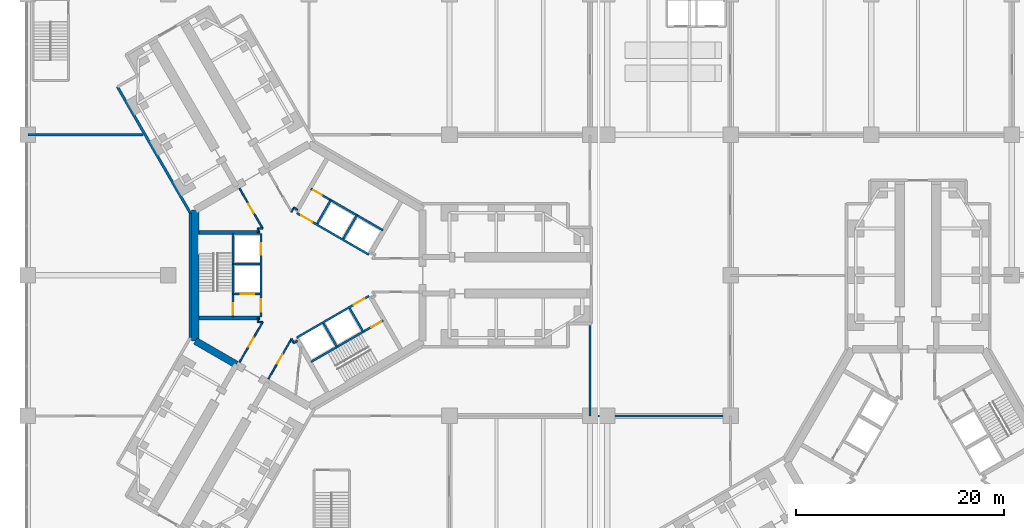
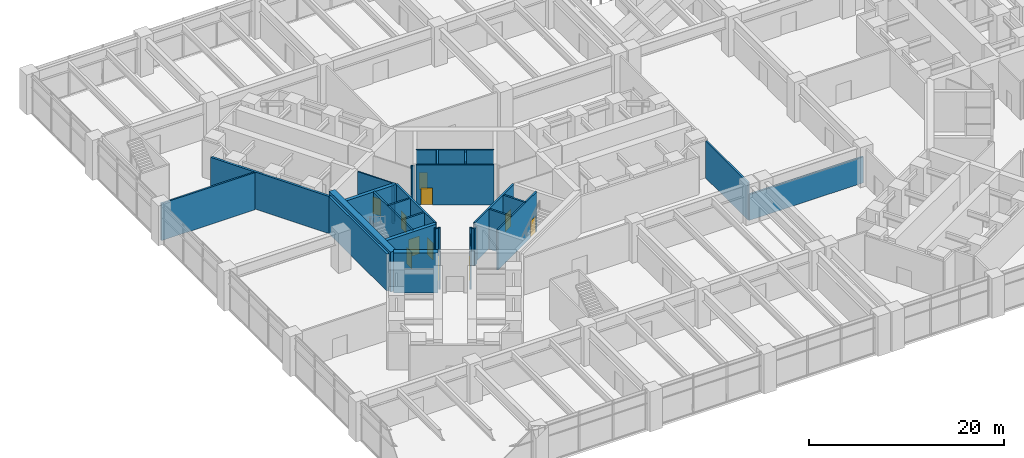
# One storey, part 22 of 32: 32 walls, 11 doors, 11 openings.
"""IFC4 building model written with IfcOpenShell, lengths in metres."""

from ifc_helpers import new_model, si_unit, direction, frame, frame_2d, origin, place, context, subcontext, project, spatial, rectangle, extrude, material, layer, layer_set, type_object, element, fill, save


model = new_model("IFC4")

# Units and contexts
model_context = context("Model", 3, precision=1e-05, world=origin(), true_north=direction((0.0, 1.0)))
body_context = subcontext(model_context, "Body", "Model", "MODEL_VIEW")
ifc_project = project(units=[si_unit("LENGTHUNIT", "METRE"), si_unit("AREAUNIT", "SQUARE_METRE"), si_unit("VOLUMEUNIT", "CUBIC_METRE"), si_unit("PLANEANGLEUNIT", "RADIAN"), si_unit("MASSUNIT", "GRAM", prefix="KILO")], contexts=[model_context])

# Site, building, storey
site_placement = place(None, origin())
site = spatial("IfcSite", under=ifc_project, at=site_placement, CompositionType="ELEMENT")
building_placement = place(site_placement, origin())
building = spatial("IfcBuilding", under=site, at=building_placement, Name="Upepo Twin Towers", CompositionType="ELEMENT")
storey_placement = place(building_placement, frame((0.0, 0.0, 10.5)))
storey = spatial("IfcBuildingStorey", under=building, at=storey_placement, Name="L02", CompositionType="ELEMENT", Elevation=10.5)

# Walls
ifc_material_1 = material(Name="Concrete C60/75", Category="concrete")
ifc_layer_1 = layer(ifc_material_1, 0.699951171875)
ifc_layer_set_1 = layer_set([ifc_layer_1], Name="Concrete C60/75")
wall_type_1 = type_object("IfcWallType", Name="Core wall 700 RC", PredefinedType="SHEAR", material=ifc_layer_set_1)
wall_1_placement = place(storey_placement, frame((-10.908447265625, 6.2978515625, 0.0), z_axis=(0.0, 0.0, 1.0), x_axis=(0.0, -1.0, 0.0)))
element("IfcWall", 1, at=wall_1_placement, inside=storey, type_object=wall_type_1, Name="T1 core wall 180", PredefinedType="SHEAR", context=body_context, shape_type="SweptSolid", body=[
    extrude(rectangle(XDim=12.595703125, YDim=0.699951171875, at=frame_2d((6.2978515625, 0.0))), origin(), (0.0, 0.0, 1.0), 5.0),
])
wall_2_placement = place(storey_placement, frame((-10.908447265625, -6.2978515625, 0.0), z_axis=(0.0, 0.0, 1.0), x_axis=(0.866034513004, -0.499984222037, 0.0)))
element("IfcWall", 2, at=wall_2_placement, inside=storey, type_object=wall_type_1, Name="T1 core wall 240 R", PredefinedType="SHEAR", context=body_context, shape_type="SweptSolid", body=[
    extrude(rectangle(XDim=4.548095703125, YDim=0.699951171875, at=frame_2d((2.27392578125, 0.0))), origin(), (0.0, 0.0, 1.0), 5.0),
])
ifc_material_2 = material(Name="Concrete blockwork", Category="masonry")
ifc_layer_2 = layer(ifc_material_2, 0.199951171875)
ifc_layer_set_2 = layer_set([ifc_layer_2], Name="Podium partition 200 blockwork")
wall_type_2 = type_object("IfcWallType", Name="Podium partition 200 blockwork", PredefinedType="PARTITIONING", material=ifc_layer_set_2)
wall_3_placement = place(storey_placement, frame((-27.0, 13.5, 0.0), z_axis=(0.0, 0.0, 1.0), x_axis=(1.0, 0.0, 0.0)))
element("IfcWall", 3, at=wall_3_placement, inside=storey, type_object=wall_type_2, Name="L02 podium wall Y04", PredefinedType="PARTITIONING", context=body_context, shape_type="SweptSolid", body=[
    extrude(rectangle(XDim=11.065185546875, YDim=0.199951171875, at=frame_2d((5.53271484375, 0.0))), origin(), (0.0, 0.0, 1.0), 4.64990234375),
])
wall_4_placement = place(storey_placement, frame((27.0, -13.5, 0.0), z_axis=(0.0, 0.0, 1.0), x_axis=(0.0, 1.0, 0.0)))
element("IfcWall", 4, at=wall_4_placement, inside=storey, type_object=wall_type_2, Name="L02 podium wall X42", PredefinedType="PARTITIONING", context=body_context, shape_type="SweptSolid", body=[
    extrude(rectangle(XDim=8.699951171875, YDim=0.199951171875, at=frame_2d((4.35009765625, 0.0))), origin(), (0.0, 0.0, 1.0), 4.64990234375),
])
wall_5_placement = place(storey_placement, frame((27.0, -13.5, 0.0), z_axis=(0.0, 0.0, 1.0), x_axis=(1.0, 0.0, 0.0)))
element("IfcWall", 5, at=wall_5_placement, inside=storey, type_object=wall_type_2, Name="L02 podium wall Y42", PredefinedType="PARTITIONING", context=body_context, shape_type="SweptSolid", body=[
    extrude(rectangle(XDim=13.5, YDim=0.199951171875, at=frame_2d((6.75, 0.0))), origin(), (0.0, 0.0, 1.0), 3.25),
])

# Wall, opening, door
ifc_material_3 = material(Name="Concrete C40/50", Category="concrete")
ifc_layer_3 = layer(ifc_material_3, 0.199951171875)
ifc_layer_set_3 = layer_set([ifc_layer_3], Name="Concrete C40/50")
wall_type_3 = type_object("IfcWallType", Name="Shaft wall 200 RC", PredefinedType="SHEAR", material=ifc_layer_set_3)
wall_6_placement = place(storey_placement, frame((5.76416015625, 1.983642578125, 0.0), z_axis=(0.0, 0.0, 1.0), x_axis=(-0.866026010844, 0.49999894854, 0.0)))
wall_6 = element("IfcWall", 6, at=wall_6_placement, inside=storey, type_object=wall_type_3, Name="T1 core W60 front wall", PredefinedType="SHEAR", context=body_context, shape_type="SweptSolid", body=[
    extrude(rectangle(XDim=8.0, YDim=0.199951171875, at=frame_2d((4.0, 0.0))), origin(), (0.0, 0.0, 1.0), 5.0),
])
opening_1_placement = place(wall_6_placement, frame((6.300048828125, 0.0, 0.0)))
opening_1 = element("IfcOpeningElement", 7, at=opening_1_placement, cuts=wall_6, Name="Opening D4", PredefinedType="OPENING", context=body_context, shape_type="SweptSolid", body=[
    extrude(rectangle(XDim=1.199951171875, YDim=2.10009765625, at=frame_2d((0.60009765625, 1.050048828125))), frame((0.0, 0.10986328125, 0.0), z_axis=(0.0, -1.0, 0.0), x_axis=(1.0, 0.0, 0.0)), (0.0, 0.0, 1.0), 0.219970703125),
])
ifc_material_4 = material(Name="Timber doorset", Category="wood")
door_type_1 = type_object("IfcDoorType", Name="Lobby door 1200 FD60", OperationType="SINGLE_SWING_LEFT", PredefinedType="DOOR", material=ifc_material_4)
door_1_placement = place(opening_1_placement, origin())
door_1 = element("IfcDoor", 8, at=door_1_placement, inside=storey, type_object=door_type_1, Name="T1 L02 W60 lobby door", OperationType="SINGLE_SWING_RIGHT", OverallHeight=2.10009765625, OverallWidth=1.199951171875, PredefinedType="DOOR", context=body_context, shape_type="SweptSolid", body=[
    extrude(rectangle(XDim=1.199951171875, YDim=2.10009765625, at=frame_2d((0.60009765625, 1.050048828125))), frame((0.0, 0.02490234375, 0.0), z_axis=(0.0, -1.0, 0.0), x_axis=(1.0, 0.0, 0.0)), (0.0, 0.0, 1.0), 0.050048828125),
])
fill(opening_1, door_1)

# Walls
for number, where, z_axis, x_axis, name in (
    (9, (3.302734375, 3.520263671875, 0.0), (0.0, 0.0, 1.0), (0.499936506574, 0.866062058628, 0.0), "T1 core W60 shaft divider"),
    (10, (0.791259765625, 4.97021484375, 0.0), (0.0, 0.0, 1.0), (0.499936506574, 0.866062058628, 0.0), "T1 core W60 lobby wall"),
):
    element("IfcWall", number, at=place(storey_placement, frame(where, z_axis=z_axis, x_axis=x_axis)), inside=storey, type_object=wall_type_3, Name=name, PredefinedType="SHEAR", context=body_context, shape_type="SweptSolid", body=[
        extrude(rectangle(XDim=2.599853515625, YDim=0.199951171875, at=frame_2d((1.2998046875, 0.0))), origin(), (0.0, 0.0, 1.0), 5.0),
    ])

# Wall, opening, door
wall_7_placement = place(storey_placement, frame((7.114013671875, 4.322021484375, 0.0), z_axis=(0.0, 0.0, 1.0), x_axis=(-0.866026010844, 0.49999894854, 0.0)))
wall_7 = element("IfcWall", 11, at=wall_7_placement, inside=storey, type_object=wall_type_3, Name="T1 core W60 stair wall", PredefinedType="SHEAR", context=body_context, shape_type="SweptSolid", body=[
    extrude(rectangle(XDim=8.0, YDim=0.199951171875, at=frame_2d((4.0, 0.0))), origin(), (0.0, 0.0, 1.0), 5.0),
])
opening_2_placement = place(wall_7_placement, frame((6.800048828125, 0.0, 0.0)))
opening_2 = element("IfcOpeningElement", 12, at=opening_2_placement, cuts=wall_7, Name="Opening D9", PredefinedType="OPENING", context=body_context, shape_type="SweptSolid", body=[
    extrude(rectangle(XDim=0.89990234375, YDim=2.10009765625, at=frame_2d((0.449951171875, 1.050048828125))), frame((0.0, 0.10986328125, 0.0), z_axis=(0.0, -1.0, 0.0), x_axis=(1.0, 0.0, 0.0)), (0.0, 0.0, 1.0), 0.219970703125),
])
ifc_material_5 = material(Name="Timber doorset", Category="wood")
door_type_2 = type_object("IfcDoorType", Name="Riser door 900 FD60", OperationType="SINGLE_SWING_LEFT", PredefinedType="DOOR", material=ifc_material_5)
door_2_placement = place(opening_2_placement, origin())
door_2 = element("IfcDoor", 13, at=door_2_placement, inside=storey, type_object=door_type_2, Name="T1 L02 riser door", OperationType="SINGLE_SWING_RIGHT", OverallHeight=2.10009765625, OverallWidth=0.89990234375, PredefinedType="DOOR", context=body_context, shape_type="SweptSolid", body=[
    extrude(rectangle(XDim=0.89990234375, YDim=2.10009765625, at=frame_2d((0.449951171875, 1.050048828125))), frame((0.0, 0.02490234375, 0.0), z_axis=(0.0, -1.0, 0.0), x_axis=(1.0, 0.0, 0.0)), (0.0, 0.0, 1.0), 0.050048828125),
])
fill(opening_2, door_2)

# Wall, openings, doors
wall_8_placement = place(storey_placement, frame((-4.60009765625, 4.0, 0.0), z_axis=(0.0, 0.0, 1.0), x_axis=(0.0, -1.0, 0.0)))
wall_8 = element("IfcWall", 14, at=wall_8_placement, inside=storey, type_object=wall_type_3, Name="T1 core W180 front wall", PredefinedType="SHEAR", context=body_context, shape_type="SweptSolid", body=[
    extrude(rectangle(XDim=8.0, YDim=0.199951171875, at=frame_2d((4.0, 0.0))), origin(), (0.0, 0.0, 1.0), 5.0),
])
opening_3_placement = place(wall_8_placement, frame((6.300048828125, 0.0, 0.0)))
opening_3 = element("IfcOpeningElement", 15, at=opening_3_placement, cuts=wall_8, Name="Opening D4", PredefinedType="OPENING", context=body_context, shape_type="SweptSolid", body=[
    extrude(rectangle(XDim=1.199951171875, YDim=2.10009765625, at=frame_2d((0.60009765625, 1.050048828125))), frame((0.0, 0.10986328125, 0.0), z_axis=(0.0, -1.0, 0.0), x_axis=(1.0, 0.0, 0.0)), (0.0, 0.0, 1.0), 0.219970703125),
])
opening_4_placement = place(wall_8_placement, frame((0.89990234375, 0.0, 0.0)))
opening_4 = element("IfcOpeningElement", 16, at=opening_4_placement, cuts=wall_8, Name="Opening LD1", PredefinedType="OPENING", context=body_context, shape_type="SweptSolid", body=[
    extrude(rectangle(XDim=1.10009765625, YDim=2.199951171875, at=frame_2d((0.550048828125, 1.10009765625))), frame((0.0, 0.10986328125, 0.0), z_axis=(0.0, -1.0, 0.0), x_axis=(1.0, 0.0, 0.0)), (0.0, 0.0, 1.0), 0.219970703125),
])
ifc_material_6 = material(Name="Steel doorset", Category="steel")
door_type_3 = type_object("IfcDoorType", Name="Lift landing door 1100", OperationType="DOUBLE_DOOR_SLIDING", PredefinedType="DOOR", material=ifc_material_6)
door_3_placement = place(opening_4_placement, origin())
door_3 = element("IfcDoor", 17, at=door_3_placement, inside=storey, type_object=door_type_3, Name="T1 L02 lift SV1 landing door", OperationType="DOUBLE_DOOR_SLIDING", OverallHeight=2.199951171875, OverallWidth=1.10009765625, PredefinedType="DOOR", context=body_context, shape_type="SweptSolid", body=[
    extrude(rectangle(XDim=1.10009765625, YDim=2.199951171875, at=frame_2d((0.550048828125, 1.10009765625))), frame((0.0, 0.02490234375, 0.0), z_axis=(0.0, -1.0, 0.0), x_axis=(1.0, 0.0, 0.0)), (0.0, 0.0, 1.0), 0.050048828125),
])
fill(opening_4, door_3)
door_4_placement = place(opening_3_placement, origin())
door_4 = element("IfcDoor", 18, at=door_4_placement, inside=storey, type_object=door_type_1, Name="T1 L02 W180 lobby door", OperationType="SINGLE_SWING_RIGHT", OverallHeight=2.10009765625, OverallWidth=1.199951171875, PredefinedType="DOOR", context=body_context, shape_type="SweptSolid", body=[
    extrude(rectangle(XDim=1.199951171875, YDim=2.10009765625, at=frame_2d((0.60009765625, 1.050048828125))), frame((0.0, 0.02490234375, 0.0), z_axis=(0.0, -1.0, 0.0), x_axis=(1.0, 0.0, 0.0)), (0.0, 0.0, 1.0), 0.050048828125),
])
fill(opening_3, door_4)

# Wall
wall_9_placement = place(storey_placement, frame((-4.699951171875, 1.10009765625, 0.0), z_axis=(0.0, 0.0, 1.0), x_axis=(-1.0, 0.0, 0.0)))
element("IfcWall", 19, at=wall_9_placement, inside=storey, type_object=wall_type_3, Name="T1 core W180 shaft divider", PredefinedType="SHEAR", context=body_context, shape_type="SweptSolid", body=[
    extrude(rectangle(XDim=2.60009765625, YDim=0.199951171875, at=frame_2d((1.300048828125, 0.0))), origin(), (0.0, 0.0, 1.0), 5.0),
])

# Wall, opening, door
wall_10_placement = place(storey_placement, frame((-4.699951171875, -1.800048828125, 0.0), z_axis=(0.0, 0.0, 1.0), x_axis=(-1.0, 0.0, 0.0)))
wall_10 = element("IfcWall", 20, at=wall_10_placement, inside=storey, type_object=wall_type_3, Name="T1 core W180 lobby wall", PredefinedType="SHEAR", context=body_context, shape_type="SweptSolid", body=[
    extrude(rectangle(XDim=2.60009765625, YDim=0.199951171875, at=frame_2d((1.300048828125, 0.0))), origin(), (0.0, 0.0, 1.0), 5.0),
])
opening_5_placement = place(wall_10_placement, frame((0.550048828125, 0.0, 0.0)))
opening_5 = element("IfcOpeningElement", 21, at=opening_5_placement, cuts=wall_10, Name="Opening LD2", PredefinedType="OPENING", context=body_context, shape_type="SweptSolid", body=[
    extrude(rectangle(XDim=1.300048828125, YDim=2.199951171875, at=frame_2d((0.64990234375, 1.10009765625))), frame((0.0, 0.10986328125, 0.0), z_axis=(0.0, -1.0, 0.0), x_axis=(1.0, 0.0, 0.0)), (0.0, 0.0, 1.0), 0.219970703125),
])
ifc_material_7 = material(Name="Steel doorset", Category="steel")
door_type_4 = type_object("IfcDoorType", Name="Firefighting lift landing door 1300", OperationType="DOUBLE_DOOR_SLIDING", PredefinedType="DOOR", material=ifc_material_7)
door_5_placement = place(opening_5_placement, origin())
door_5 = element("IfcDoor", 22, at=door_5_placement, inside=storey, type_object=door_type_4, Name="T1 L02 firefighting lift landing door", OperationType="DOUBLE_DOOR_SLIDING", OverallHeight=2.199951171875, OverallWidth=1.300048828125, PredefinedType="DOOR", context=body_context, shape_type="SweptSolid", body=[
    extrude(rectangle(XDim=1.300048828125, YDim=2.199951171875, at=frame_2d((0.64990234375, 1.10009765625))), frame((0.0, 0.02490234375, 0.0), z_axis=(0.0, -1.0, 0.0), x_axis=(1.0, 0.0, 0.0)), (0.0, 0.0, 1.0), 0.050048828125),
])
fill(opening_5, door_5)

wall_11_placement = place(storey_placement, frame((-7.300048828125, 4.0, 0.0), z_axis=(0.0, 0.0, 1.0), x_axis=(0.0, -1.0, 0.0)))
wall_11 = element("IfcWall", 23, at=wall_11_placement, inside=storey, type_object=wall_type_3, Name="T1 core W180 stair wall", PredefinedType="SHEAR", context=body_context, shape_type="SweptSolid", body=[
    extrude(rectangle(XDim=8.0, YDim=0.199951171875, at=frame_2d((4.0, 0.0))), origin(), (0.0, 0.0, 1.0), 5.0),
])
opening_6_placement = place(wall_11_placement, frame((6.699951171875, 0.0, 0.0)))
opening_6 = element("IfcOpeningElement", 24, at=opening_6_placement, cuts=wall_11, Name="Opening D3", PredefinedType="OPENING", context=body_context, shape_type="SweptSolid", body=[
    extrude(rectangle(XDim=1.10009765625, YDim=2.10009765625, at=frame_2d((0.550048828125, 1.050048828125))), frame((0.0, 0.10986328125, 0.0), z_axis=(0.0, -1.0, 0.0), x_axis=(1.0, 0.0, 0.0)), (0.0, 0.0, 1.0), 0.219970703125),
])
ifc_material_8 = material(Name="Timber doorset", Category="wood")
door_type_5 = type_object("IfcDoorType", Name="Stair door 1100 FD60", OperationType="SINGLE_SWING_LEFT", PredefinedType="DOOR", material=ifc_material_8)
door_6_placement = place(opening_6_placement, origin())
door_6 = element("IfcDoor", 25, at=door_6_placement, inside=storey, type_object=door_type_5, Name="T1 L02 stair door", OperationType="SINGLE_SWING_RIGHT", OverallHeight=2.10009765625, OverallWidth=1.10009765625, PredefinedType="DOOR", context=body_context, shape_type="SweptSolid", body=[
    extrude(rectangle(XDim=1.10009765625, YDim=2.10009765625, at=frame_2d((0.550048828125, 1.050048828125))), frame((0.0, 0.02490234375, 0.0), z_axis=(0.0, -1.0, 0.0), x_axis=(1.0, 0.0, 0.0)), (0.0, 0.0, 1.0), 0.050048828125),
])
fill(opening_6, door_6)

wall_12_placement = place(storey_placement, frame((-1.1640625, -5.983642578125, 0.0), z_axis=(0.0, 0.0, 1.0), x_axis=(0.866026010844, 0.49999894854, 0.0)))
wall_12 = element("IfcWall", 26, at=wall_12_placement, inside=storey, type_object=wall_type_3, Name="T1 core W300 front wall", PredefinedType="SHEAR", context=body_context, shape_type="SweptSolid", body=[
    extrude(rectangle(XDim=8.0, YDim=0.199951171875, at=frame_2d((4.0, 0.0))), origin(), (0.0, 0.0, 1.0), 5.0),
])
opening_7_placement = place(wall_12_placement, frame((6.300048828125, 0.0, 0.0)))
opening_7 = element("IfcOpeningElement", 27, at=opening_7_placement, cuts=wall_12, Name="Opening D4", PredefinedType="OPENING", context=body_context, shape_type="SweptSolid", body=[
    extrude(rectangle(XDim=1.199951171875, YDim=2.10009765625, at=frame_2d((0.60009765625, 1.050048828125))), frame((0.0, 0.10986328125, 0.0), z_axis=(0.0, -1.0, 0.0), x_axis=(1.0, 0.0, 0.0)), (0.0, 0.0, 1.0), 0.219970703125),
])
door_7_placement = place(opening_7_placement, origin())
door_7 = element("IfcDoor", 28, at=door_7_placement, inside=storey, type_object=door_type_1, Name="T1 L02 W300 lobby door", OperationType="SINGLE_SWING_RIGHT", OverallHeight=2.10009765625, OverallWidth=1.199951171875, PredefinedType="DOOR", context=body_context, shape_type="SweptSolid", body=[
    extrude(rectangle(XDim=1.199951171875, YDim=2.10009765625, at=frame_2d((0.60009765625, 1.050048828125))), frame((0.0, 0.02490234375, 0.0), z_axis=(0.0, -1.0, 0.0), x_axis=(1.0, 0.0, 0.0)), (0.0, 0.0, 1.0), 0.050048828125),
])
fill(opening_7, door_7)

# Walls
wall_13_placement = place(storey_placement, frame((1.3974609375, -4.620361328125, 0.0), z_axis=(0.0, 0.0, 1.0), x_axis=(0.499936506574, -0.866062058628, 0.0)))
element("IfcWall", 29, at=wall_13_placement, inside=storey, type_object=wall_type_3, Name="T1 core W300 shaft divider", PredefinedType="SHEAR", context=body_context, shape_type="SweptSolid", body=[
    extrude(rectangle(XDim=2.599853515625, YDim=0.199951171875, at=frame_2d((1.2998046875, 0.0))), origin(), (0.0, 0.0, 1.0), 5.0),
])
wall_14_placement = place(storey_placement, frame((3.908935546875, -3.17041015625, 0.0), z_axis=(0.0, 0.0, 1.0), x_axis=(0.49997716683, -0.86603858612, 0.0)))
element("IfcWall", 30, at=wall_14_placement, inside=storey, type_object=wall_type_3, Name="T1 core W300 lobby wall", PredefinedType="SHEAR", context=body_context, shape_type="SweptSolid", body=[
    extrude(rectangle(XDim=2.599609375, YDim=0.199951171875, at=frame_2d((1.2998046875, 0.0))), origin(), (0.0, 0.0, 1.0), 5.0),
])

# Wall, opening, door
wall_15_placement = place(storey_placement, frame((0.185791015625, -8.322021484375, 0.0), z_axis=(0.0, 0.0, 1.0), x_axis=(0.866026010844, 0.49999894854, 0.0)))
wall_15 = element("IfcWall", 31, at=wall_15_placement, inside=storey, type_object=wall_type_3, Name="T1 core W300 stair wall", PredefinedType="SHEAR", context=body_context, shape_type="SweptSolid", body=[
    extrude(rectangle(XDim=8.0, YDim=0.199951171875, at=frame_2d((4.0, 0.0))), origin(), (0.0, 0.0, 1.0), 5.0),
])
opening_8_placement = place(wall_15_placement, frame((6.699951171875, 0.0, 0.0)))
opening_8 = element("IfcOpeningElement", 32, at=opening_8_placement, cuts=wall_15, Name="Opening D3", PredefinedType="OPENING", context=body_context, shape_type="SweptSolid", body=[
    extrude(rectangle(XDim=1.10009765625, YDim=2.10009765625, at=frame_2d((0.550048828125, 1.050048828125))), frame((0.0, 0.10986328125, 0.0), z_axis=(0.0, -1.0, 0.0), x_axis=(1.0, 0.0, 0.0)), (0.0, 0.0, 1.0), 0.219970703125),
])
door_8_placement = place(opening_8_placement, origin())
door_8 = element("IfcDoor", 33, at=door_8_placement, inside=storey, type_object=door_type_5, Name="T1 L02 stair door", OperationType="SINGLE_SWING_RIGHT", OverallHeight=2.10009765625, OverallWidth=1.10009765625, PredefinedType="DOOR", context=body_context, shape_type="SweptSolid", body=[
    extrude(rectangle(XDim=1.10009765625, YDim=2.10009765625, at=frame_2d((0.550048828125, 1.050048828125))), frame((0.0, 0.02490234375, 0.0), z_axis=(0.0, -1.0, 0.0), x_axis=(1.0, 0.0, 0.0)), (0.0, 0.0, 1.0), 0.050048828125),
])
fill(opening_8, door_8)

# Walls
ifc_material_9 = material(Name="Concrete C40/50", Category="concrete")
ifc_layer_4 = layer(ifc_material_9, 0.39990234375)
ifc_layer_set_4 = layer_set([ifc_layer_4], Name="Concrete C40/50")
wall_type_4 = type_object("IfcWallType", Name="Shaft wall 400 RC", PredefinedType="SHEAR", material=ifc_layer_set_4)
for number, where, z_axis, x_axis, name in (
    (34, (-4.699951171875, -4.10009765625, 0.0), (0.0, 0.0, 1.0), (-1.0, 0.0, 0.0), "T1 core W180 side wall N"),
    (35, (-4.699951171875, 4.10009765625, 0.0), (0.0, 0.0, 1.0), (-1.0, 0.0, 0.0), "T1 core W180 side wall S"),
):
    element("IfcWall", number, at=place(storey_placement, frame(where, z_axis=z_axis, x_axis=x_axis)), inside=storey, type_object=wall_type_4, Name=name, PredefinedType="SHEAR", context=body_context, shape_type="SweptSolid", body=[
        extrude(rectangle(XDim=5.8583984375, YDim=0.39990234375, at=frame_2d((2.92919921875, 0.0))), origin(), (0.0, 0.0, 1.0), 5.0),
    ])
ifc_material_10 = material(Name="Gypsum board on steel studs", Category="steel")
ifc_layer_5 = layer(ifc_material_10, 0.14990234375)
ifc_layer_set_5 = layer_set([ifc_layer_5], Name="Teaching partition 150 acoustic")
wall_type_5 = type_object("IfcWallType", Name="Teaching partition 150 acoustic", PredefinedType="PARTITIONING", material=ifc_layer_set_5)
wall_16_placement = place(storey_placement, frame((-1.092041015625, -6.28857421875, 0.0), z_axis=(0.0, 0.0, 1.0), x_axis=(-0.866138304741, -0.499804398801, 0.0)))
element("IfcWall", 36, at=wall_16_placement, inside=storey, type_object=wall_type_5, Name="T1 core room partition 2", PredefinedType="PARTITIONING", context=body_context, shape_type="SweptSolid", body=[
    extrude(rectangle(XDim=0.429931640625, YDim=0.14990234375, at=frame_2d((0.21484375, 0.0))), origin(), (0.0, 0.0, 1.0), 4.64990234375),
])
wall_17_placement = place(storey_placement, frame((-1.43701171875, -6.5107421875, 0.0), z_axis=(0.0, 0.0, 1.0), x_axis=(-0.50033519877, 0.865831790172, 0.0)))
element("IfcWall", 37, at=wall_17_placement, inside=storey, type_object=wall_type_5, Name="T1 core room partition 3", PredefinedType="PARTITIONING", context=body_context, shape_type="SweptSolid", body=[
    extrude(rectangle(XDim=0.494384765625, YDim=0.14990234375, at=frame_2d((0.2470703125, 0.0))), origin(), (0.0, 0.0, 1.0), 4.64990234375),
])

# Wall, opening, door
wall_18_placement = place(storey_placement, frame((-1.664306640625, -6.082763671875, 0.0), z_axis=(0.0, 0.0, 1.0), x_axis=(-0.499999927604, -0.866025445582, 0.0)))
wall_18 = element("IfcWall", 38, at=wall_18_placement, inside=storey, type_object=wall_type_5, Name="T1 core room partition 4", PredefinedType="PARTITIONING", context=body_context, shape_type="SweptSolid", body=[
    extrude(rectangle(XDim=4.46826171875, YDim=0.14990234375, at=frame_2d((2.234130859375, 0.0))), origin(), (0.0, 0.0, 1.0), 4.64990234375),
])
opening_9_placement = place(wall_18_placement, frame((1.744384765625, 0.0, 0.0)))
opening_9 = element("IfcOpeningElement", 39, at=opening_9_placement, cuts=wall_18, Name="Opening D1", PredefinedType="OPENING", context=body_context, shape_type="SweptSolid", body=[
    extrude(rectangle(XDim=1.0, YDim=2.10009765625, at=frame_2d((0.5, 1.050048828125))), frame((0.0, 0.0849609375, 0.0), z_axis=(0.0, -1.0, 0.0), x_axis=(1.0, 0.0, 0.0)), (0.0, 0.0, 1.0), 0.169921875),
])
ifc_material_11 = material(Name="Timber doorset", Category="wood")
door_type_6 = type_object("IfcDoorType", Name="Room door 1000 FD30", OperationType="SINGLE_SWING_LEFT", PredefinedType="DOOR", material=ifc_material_11)
door_9_placement = place(opening_9_placement, origin())
door_9 = element("IfcDoor", 40, at=door_9_placement, inside=storey, type_object=door_type_6, Name="T1 L02 core room door K2", OperationType="SINGLE_SWING_RIGHT", OverallHeight=2.10009765625, OverallWidth=1.0, PredefinedType="DOOR", context=body_context, shape_type="SweptSolid", body=[
    extrude(rectangle(XDim=1.0, YDim=2.10009765625, at=frame_2d((0.5, 1.050048828125))), frame((0.0, 0.02490234375, 0.0), z_axis=(0.0, -1.0, 0.0), x_axis=(1.0, 0.0, 0.0)), (0.0, 0.0, 1.0), 0.050048828125),
])
fill(opening_9, door_9)

wall_19_placement = place(storey_placement, frame((-6.669921875, -8.3525390625, 0.0), z_axis=(0.0, 0.0, 1.0), x_axis=(0.500017246033, 0.866015446554, 0.0)))
wall_19 = element("IfcWall", 41, at=wall_19_placement, inside=storey, type_object=wall_type_5, Name="T1 core room partition 5", PredefinedType="PARTITIONING", context=body_context, shape_type="SweptSolid", body=[
    extrude(rectangle(XDim=4.468505859375, YDim=0.14990234375, at=frame_2d((2.234375, 0.0))), origin(), (0.0, 0.0, 1.0), 4.64990234375),
])
opening_10_placement = place(wall_19_placement, frame((1.72412109375, 0.0, 0.0)))
opening_10 = element("IfcOpeningElement", 42, at=opening_10_placement, cuts=wall_19, Name="Opening D1", PredefinedType="OPENING", context=body_context, shape_type="SweptSolid", body=[
    extrude(rectangle(XDim=1.0, YDim=2.10009765625, at=frame_2d((0.5, 1.050048828125))), frame((0.0, 0.0849609375, 0.0), z_axis=(0.0, -1.0, 0.0), x_axis=(1.0, 0.0, 0.0)), (0.0, 0.0, 1.0), 0.169921875),
])
door_10_placement = place(opening_10_placement, origin())
door_10 = element("IfcDoor", 43, at=door_10_placement, inside=storey, type_object=door_type_6, Name="T1 L02 core room door K1", OperationType="SINGLE_SWING_LEFT", OverallHeight=2.10009765625, OverallWidth=1.0, PredefinedType="DOOR", context=body_context, shape_type="SweptSolid", body=[
    extrude(rectangle(XDim=1.0, YDim=2.10009765625, at=frame_2d((0.5, 1.050048828125))), frame((0.0, 0.02490234375, 0.0), z_axis=(0.0, -1.0, 0.0), x_axis=(1.0, 0.0, 0.0)), (0.0, 0.0, 1.0), 0.050048828125),
])
fill(opening_10, door_10)

# Walls
wall_20_placement = place(storey_placement, frame((-4.425537109375, -4.5, 0.0), z_axis=(0.0, 0.0, 1.0), x_axis=(-1.0, 0.0, 0.0)))
element("IfcWall", 44, at=wall_20_placement, inside=storey, type_object=wall_type_5, Name="T1 core room partition 6", PredefinedType="PARTITIONING", context=body_context, shape_type="SweptSolid", body=[
    extrude(rectangle(XDim=0.494384765625, YDim=0.14990234375, at=frame_2d((0.2470703125, 0.0))), origin(), (0.0, 0.0, 1.0), 4.64990234375),
])
for number, where, z_axis, x_axis, name in (
    (45, (-4.89990234375, -4.52001953125, 0.0), (0.0, 0.0, 1.0), (0.0, 1.0, 0.0), "T1 core room partition 7"),
    (46, (-4.89990234375, 4.090087890625, 0.0), (0.0, 0.0, 1.0), (0.0, 1.0, 0.0), "T1 core room partition 8"),
):
    element("IfcWall", number, at=place(storey_placement, frame(where, z_axis=z_axis, x_axis=x_axis)), inside=storey, type_object=wall_type_5, Name=name, PredefinedType="PARTITIONING", context=body_context, shape_type="SweptSolid", body=[
        extrude(rectangle(XDim=0.429931640625, YDim=0.14990234375, at=frame_2d((0.21484375, 0.0))), origin(), (0.0, 0.0, 1.0), 4.64990234375),
    ])
wall_21_placement = place(storey_placement, frame((-4.919921875, 4.5, 0.0), z_axis=(0.0, 0.0, 1.0), x_axis=(1.0, 0.0, 0.0)))
element("IfcWall", 47, at=wall_21_placement, inside=storey, type_object=wall_type_5, Name="T1 core room partition 9", PredefinedType="PARTITIONING", context=body_context, shape_type="SweptSolid", body=[
    extrude(rectangle(XDim=0.494384765625, YDim=0.14990234375, at=frame_2d((0.2470703125, 0.0))), origin(), (0.0, 0.0, 1.0), 4.64990234375),
])

# Wall, opening, door
wall_22_placement = place(storey_placement, frame((-4.435546875, 4.482666015625, 0.0), z_axis=(0.0, 0.0, 1.0), x_axis=(-0.500017246033, 0.866015446554, 0.0)))
wall_22 = element("IfcWall", 48, at=wall_22_placement, inside=storey, type_object=wall_type_5, Name="T1 core room partition 10", PredefinedType="PARTITIONING", context=body_context, shape_type="SweptSolid", body=[
    extrude(rectangle(XDim=4.468505859375, YDim=0.14990234375, at=frame_2d((2.234375, 0.0))), origin(), (0.0, 0.0, 1.0), 4.64990234375),
])
opening_11_placement = place(wall_22_placement, frame((1.744384765625, 0.0, 0.0)))
opening_11 = element("IfcOpeningElement", 49, at=opening_11_placement, cuts=wall_22, Name="Opening D1", PredefinedType="OPENING", context=body_context, shape_type="SweptSolid", body=[
    extrude(rectangle(XDim=1.0, YDim=2.10009765625, at=frame_2d((0.5, 1.050048828125))), frame((0.0, 0.0849609375, 0.0), z_axis=(0.0, -1.0, 0.0), x_axis=(1.0, 0.0, 0.0)), (0.0, 0.0, 1.0), 0.169921875),
])
door_11_placement = place(opening_11_placement, origin())
door_11 = element("IfcDoor", 50, at=door_11_placement, inside=storey, type_object=door_type_6, Name="T1 L02 core room door K7", OperationType="SINGLE_SWING_RIGHT", OverallHeight=2.10009765625, OverallWidth=1.0, PredefinedType="DOOR", context=body_context, shape_type="SweptSolid", body=[
    extrude(rectangle(XDim=1.0, YDim=2.10009765625, at=frame_2d((0.5, 1.050048828125))), frame((0.0, 0.02490234375, 0.0), z_axis=(0.0, -1.0, 0.0), x_axis=(1.0, 0.0, 0.0)), (0.0, 0.0, 1.0), 0.050048828125),
])
fill(opening_11, door_11)

# Walls
wall_23_placement = place(storey_placement, frame((-1.684326171875, 6.082763671875, 0.0), z_axis=(0.0, 0.0, 1.0), x_axis=(0.50033519877, 0.865831790172, 0.0)))
element("IfcWall", 51, at=wall_23_placement, inside=storey, type_object=wall_type_5, Name="T1 core room partition 12", PredefinedType="PARTITIONING", context=body_context, shape_type="SweptSolid", body=[
    extrude(rectangle(XDim=0.494384765625, YDim=0.14990234375, at=frame_2d((0.2470703125, 0.0))), origin(), (0.0, 0.0, 1.0), 4.64990234375),
])
wall_24_placement = place(storey_placement, frame((-1.46435546875, 6.50341796875, 0.0), z_axis=(0.0, 0.0, 1.0), x_axis=(0.866138304741, -0.499804398801, 0.0)))
element("IfcWall", 52, at=wall_24_placement, inside=storey, type_object=wall_type_5, Name="T1 core room partition 13", PredefinedType="PARTITIONING", context=body_context, shape_type="SweptSolid", body=[
    extrude(rectangle(XDim=0.429931640625, YDim=0.14990234375, at=frame_2d((0.21484375, 0.0))), origin(), (0.0, 0.0, 1.0), 4.64990234375),
])
ifc_material_12 = material(Name="Concrete blockwork", Category="masonry")
ifc_layer_6 = layer(ifc_material_12, 0.25)
ifc_layer_set_6 = layer_set([ifc_layer_6], Name="Tower enclosure wall 250 blockwork")
wall_type_6 = type_object("IfcWallType", Name="Tower enclosure wall 250 blockwork", PredefinedType="STANDARD", material=ifc_layer_set_6)
wall_25_placement = place(storey_placement, frame((-11.38330078125, -5.966552734375, 0.0), z_axis=(0.0, 0.0, 1.0), x_axis=(0.0, 1.0, 0.0)))
element("IfcWall", 53, at=wall_25_placement, inside=storey, type_object=wall_type_6, Name="T1 L02 enclosure wall 6", PredefinedType="STANDARD", context=body_context, shape_type="SweptSolid", body=[
    extrude(rectangle(XDim=11.93310546875, YDim=0.25, at=frame_2d((5.966552734375, 0.0))), origin(), (0.0, 0.0, 1.0), 4.64990234375),
])
wall_26_placement = place(storey_placement, frame((-11.38330078125, 5.966552734375, 0.0), z_axis=(0.0, 0.0, 1.0), x_axis=(-0.499996367808, 0.866027500821, 0.0)))
element("IfcWall", 54, at=wall_26_placement, inside=storey, type_object=wall_type_6, Name="T1 L02 enclosure wall 7", PredefinedType="STANDARD", context=body_context, shape_type="SweptSolid", body=[
    extrude(rectangle(XDim=14.01611328125, YDim=0.25, at=frame_2d((7.008056640625, 0.0))), origin(), (0.0, 0.0, 1.0), 4.64990234375),
])

save(model, "model.ifc")
